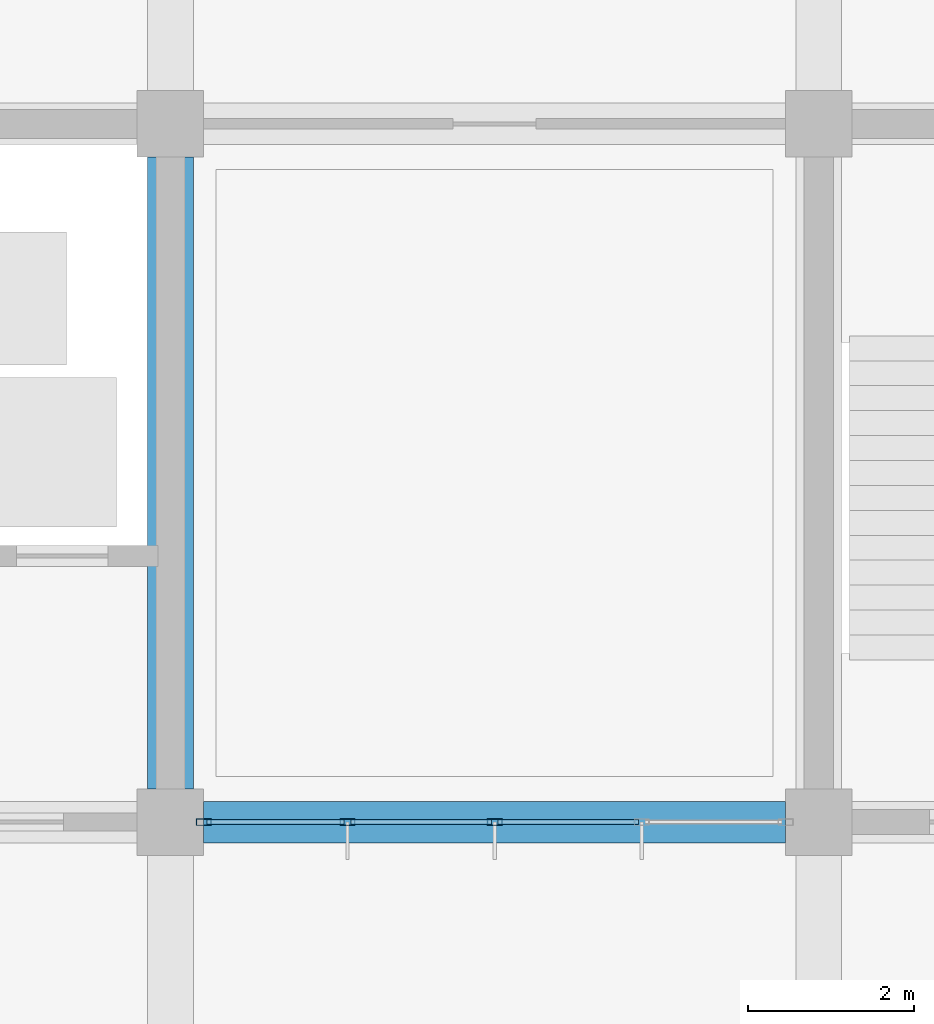
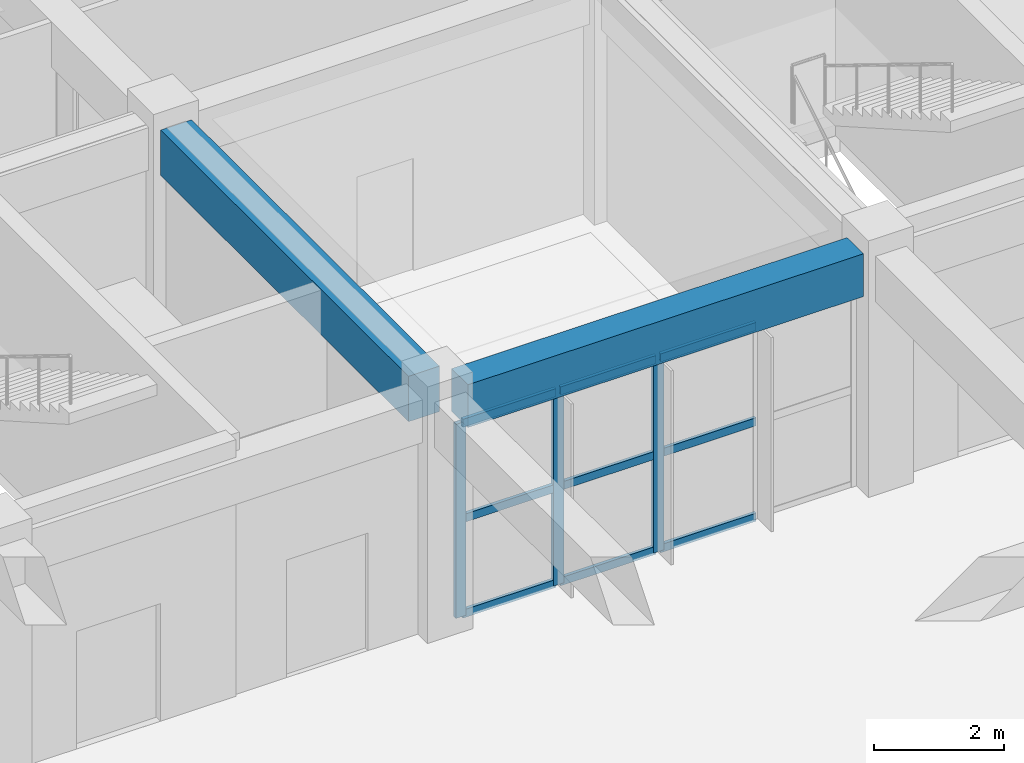
# One storey, part 13 of 139: 12 members, 2 beams, 1 element without a shape of its own.
"""IFC4 building model written with IfcOpenShell, lengths in metres."""

from ifc_helpers import new_model, si_unit, direction, frame, origin, origin_2d, place, context, subcontext, project, spatial, rectangle, hollow_rectangle, extrude, material, layer, layer_set, material_profile, profile_set, type_object, element, aggregate, save


model = new_model("IFC4")

# Units and contexts
model_context = context("Model", 3, precision=1e-05, world=origin(), true_north=direction((0.0, 1.0)))
body_context = subcontext(model_context, "Body", "Model", "MODEL_VIEW")
ifc_project = project(units=[si_unit("LENGTHUNIT", "METRE"), si_unit("AREAUNIT", "SQUARE_METRE"), si_unit("VOLUMEUNIT", "CUBIC_METRE"), si_unit("PLANEANGLEUNIT", "RADIAN"), si_unit("MASSUNIT", "GRAM", prefix="KILO")], contexts=[model_context])

# Site, building, storey
site_placement = place(None, origin())
site = spatial("IfcSite", under=ifc_project, at=site_placement, CompositionType="ELEMENT")
building_placement = place(site_placement, origin())
building = spatial("IfcBuilding", under=site, at=building_placement, Name="Zizhar Promenade General Hospital", CompositionType="ELEMENT")
storey_placement = place(building_placement, origin())
storey = spatial("IfcBuildingStorey", under=building, at=storey_placement, Name="L00", CompositionType="ELEMENT", Elevation=0.0)

# Beams
ifc_material_1 = material(Name="Concrete C35/45", Category="concrete")
ifc_material_profile_1 = material_profile(ifc_material_1, rectangle(XDim=0.5, YDim=0.800048828125, at=origin_2d()))
ifc_profile_set_1 = profile_set([ifc_material_profile_1], Name="Concrete C35/45")
beam_type_1 = type_object("IfcBeamType", Name="BM-RC-500x800", PredefinedType="BEAM", material=ifc_profile_set_1)
beam_1_placement = place(storey_placement, frame((70.60009765625, 8.39990234375, 4.070068359375), z_axis=(1.0, 0.0, 0.0), x_axis=(0.0, 1.0, 0.0)))
element("IfcBeam", 1, at=beam_1_placement, inside=storey, type_object=beam_type_1, Name="Grid Beam X L00 (9-1)", PredefinedType="BEAM", context=body_context, shape_type="SweptSolid", body=[
    extrude(rectangle(XDim=0.5, YDim=0.800048828125, at=origin_2d()), origin(), (0.0, 0.0, 1.0), 7.0),
])
ifc_material_2 = material(Name="Concrete C35/45", Category="concrete")
ifc_material_profile_2 = material_profile(ifc_material_2, rectangle(XDim=0.550048828125, YDim=0.85009765625, at=origin_2d()))
ifc_profile_set_2 = profile_set([ifc_material_profile_2], Name="Concrete C35/45")
beam_type_2 = type_object("IfcBeamType", Name="BM-RC-550x850", PredefinedType="BEAM", material=ifc_profile_set_2)
beam_2_placement = place(storey_placement, frame((70.199951171875, 8.800048828125, 4.044921875), z_axis=(0.0, 1.0, 0.0), x_axis=(-1.0, 0.0, 0.0)))
element("IfcBeam", 2, at=beam_2_placement, inside=storey, type_object=beam_type_2, Name="Grid Beam Y L00 (9-1)", PredefinedType="BEAM", context=body_context, shape_type="SweptSolid", body=[
    extrude(rectangle(XDim=0.550048828125, YDim=0.85009765625, at=origin_2d()), origin(), (0.0, 0.0, 1.0), 7.599853515625),
])

# Curtain wall, members
ifc_material_3 = material(Name="Anodised aluminium 6063-T6 and low-E glass", Category="aluminium")
ifc_layer = layer(ifc_material_3, 0.159912109375)
ifc_layer_set = layer_set([ifc_layer], Name="Anodised aluminium 6063-T6 and low-E glass")
curtain_wall_type = type_object("IfcCurtainWallType", Name="CW-HALL-S", PredefinedType="NOTDEFINED", material=ifc_layer_set)
curtain_wall_placement = place(storey_placement, origin())
curtain_wall = element("IfcCurtainWall", 3, at=curtain_wall_placement, inside=storey, type_object=curtain_wall_type, Name="Promenade Colonnade Curtain Wall Bay 8", PredefinedType="NOTDEFINED")
ifc_material_4 = material(Name="Anodised aluminium 6063-T6", Category="aluminium")
ifc_material_profile_3 = material_profile(ifc_material_4, hollow_rectangle(XDim=0.080078125, YDim=0.179931640625, WallThickness=0.0048828125, at=origin_2d()))
ifc_profile_set_3 = profile_set([ifc_material_profile_3], Name="Anodised aluminium 6063-T6")
member_type_1 = type_object("IfcMemberType", Name="CWM-ALU-180x80", PredefinedType="MULLION", material=ifc_profile_set_3)
member_1_placement = place(storey_placement, frame((74.10009765625, 8.39990234375, 0.0), z_axis=(0.0, 0.0, 1.0), x_axis=(0.0, -1.0, 0.0)))
member_1 = element("IfcMember", 4, at=member_1_placement, type_object=member_type_1, Name="CW-01 mullion 3", PredefinedType="MULLION", context=body_context, shape_type="SweptSolid", body=[
    extrude(hollow_rectangle(XDim=0.080078125, YDim=0.179931640625, WallThickness=0.0048828125, at=origin_2d()), origin(), (0.0, 0.0, 1.0), 3.6298828125),
])
member_2_placement = place(storey_placement, frame((72.330078125, 8.39990234375, 0.0), z_axis=(0.0, 0.0, 1.0), x_axis=(0.0, -1.0, 0.0)))
member_2 = element("IfcMember", 5, at=member_2_placement, type_object=member_type_1, Name="CW-01 mullion 4", PredefinedType="MULLION", context=body_context, shape_type="SweptSolid", body=[
    extrude(hollow_rectangle(XDim=0.080078125, YDim=0.179931640625, WallThickness=0.0048828125, at=origin_2d()), origin(), (0.0, 0.0, 1.0), 3.6298828125),
])
member_3_placement = place(storey_placement, frame((70.60009765625, 8.39990234375, 0.0), z_axis=(0.0, 0.0, 1.0), x_axis=(0.0, -1.0, 0.0)))
member_3 = element("IfcMember", 6, at=member_3_placement, type_object=member_type_1, Name="CW-01 mullion 5", PredefinedType="MULLION", context=body_context, shape_type="SweptSolid", body=[
    extrude(hollow_rectangle(XDim=0.080078125, YDim=0.179931640625, WallThickness=0.0048828125, at=origin_2d()), origin(), (0.0, 0.0, 1.0), 3.6298828125),
])
ifc_material_5 = material(Name="Anodised aluminium 6063-T6", Category="aluminium")
ifc_material_profile_4 = material_profile(ifc_material_5, hollow_rectangle(XDim=0.06005859375, YDim=0.14990234375, WallThickness=0.00390625, at=origin_2d()))
ifc_profile_set_4 = profile_set([ifc_material_profile_4], Name="Anodised aluminium 6063-T6")
member_type_2 = type_object("IfcMemberType", Name="CWT-ALU-150x60", PredefinedType="USERDEFINED", material=ifc_profile_set_4)
member_4_placement = place(storey_placement, frame((75.830078125, 8.39990234375, 0.030029296875), z_axis=(-1.0, 0.0, 0.0), x_axis=(0.0, -1.0, 0.0)))
member_4 = element("IfcMember", 7, at=member_4_placement, type_object=member_type_2, Name="CW-01 transom 2.1", ObjectType="TRANSOM", PredefinedType="USERDEFINED", context=body_context, shape_type="SweptSolid", body=[
    extrude(hollow_rectangle(XDim=0.06005859375, YDim=0.14990234375, WallThickness=0.00390625, at=origin_2d()), origin(), (0.0, 0.0, 1.0), 1.690185546875),
])
member_5_placement = place(storey_placement, frame((75.830078125, 8.39990234375, 1.81494140625), z_axis=(-1.0, 0.0, 0.0), x_axis=(0.0, -1.0, 0.0)))
member_5 = element("IfcMember", 8, at=member_5_placement, type_object=member_type_2, Name="CW-01 transom 2.2", ObjectType="TRANSOM", PredefinedType="USERDEFINED", context=body_context, shape_type="SweptSolid", body=[
    extrude(hollow_rectangle(XDim=0.06005859375, YDim=0.14990234375, WallThickness=0.00390625, at=origin_2d()), origin(), (0.0, 0.0, 1.0), 1.690185546875),
])
member_6_placement = place(storey_placement, frame((75.830078125, 8.39990234375, 3.60009765625), z_axis=(-1.0, 0.0, 0.0), x_axis=(0.0, -1.0, 0.0)))
member_6 = element("IfcMember", 9, at=member_6_placement, type_object=member_type_2, Name="CW-01 transom 2.3", ObjectType="TRANSOM", PredefinedType="USERDEFINED", context=body_context, shape_type="SweptSolid", body=[
    extrude(hollow_rectangle(XDim=0.06005859375, YDim=0.14990234375, WallThickness=0.00390625, at=origin_2d()), origin(), (0.0, 0.0, 1.0), 1.690185546875),
])
member_7_placement = place(storey_placement, frame((74.06005859375, 8.39990234375, 0.030029296875), z_axis=(-1.0, 0.0, 0.0), x_axis=(0.0, -1.0, 0.0)))
member_7 = element("IfcMember", 10, at=member_7_placement, type_object=member_type_2, Name="CW-01 transom 3.1", ObjectType="TRANSOM", PredefinedType="USERDEFINED", context=body_context, shape_type="SweptSolid", body=[
    extrude(hollow_rectangle(XDim=0.06005859375, YDim=0.14990234375, WallThickness=0.00390625, at=origin_2d()), origin(), (0.0, 0.0, 1.0), 1.68994140625),
])
member_8_placement = place(storey_placement, frame((74.06005859375, 8.39990234375, 1.81494140625), z_axis=(-1.0, 0.0, 0.0), x_axis=(0.0, -1.0, 0.0)))
member_8 = element("IfcMember", 11, at=member_8_placement, type_object=member_type_2, Name="CW-01 transom 3.2", ObjectType="TRANSOM", PredefinedType="USERDEFINED", context=body_context, shape_type="SweptSolid", body=[
    extrude(hollow_rectangle(XDim=0.06005859375, YDim=0.14990234375, WallThickness=0.00390625, at=origin_2d()), origin(), (0.0, 0.0, 1.0), 1.68994140625),
])
member_9_placement = place(storey_placement, frame((74.06005859375, 8.39990234375, 3.60009765625), z_axis=(-1.0, 0.0, 0.0), x_axis=(0.0, -1.0, 0.0)))
member_9 = element("IfcMember", 12, at=member_9_placement, type_object=member_type_2, Name="CW-01 transom 3.3", ObjectType="TRANSOM", PredefinedType="USERDEFINED", context=body_context, shape_type="SweptSolid", body=[
    extrude(hollow_rectangle(XDim=0.06005859375, YDim=0.14990234375, WallThickness=0.00390625, at=origin_2d()), origin(), (0.0, 0.0, 1.0), 1.68994140625),
])
member_10_placement = place(storey_placement, frame((72.2900390625, 8.39990234375, 0.030029296875), z_axis=(-1.0, 0.0, 0.0), x_axis=(0.0, -1.0, 0.0)))
member_10 = element("IfcMember", 13, at=member_10_placement, type_object=member_type_2, Name="CW-01 transom 4.1", ObjectType="TRANSOM", PredefinedType="USERDEFINED", context=body_context, shape_type="SweptSolid", body=[
    extrude(hollow_rectangle(XDim=0.06005859375, YDim=0.14990234375, WallThickness=0.00390625, at=origin_2d()), origin(), (0.0, 0.0, 1.0), 1.650146484375),
])
member_11_placement = place(storey_placement, frame((72.2900390625, 8.39990234375, 1.81494140625), z_axis=(-1.0, 0.0, 0.0), x_axis=(0.0, -1.0, 0.0)))
member_11 = element("IfcMember", 14, at=member_11_placement, type_object=member_type_2, Name="CW-01 transom 4.2", ObjectType="TRANSOM", PredefinedType="USERDEFINED", context=body_context, shape_type="SweptSolid", body=[
    extrude(hollow_rectangle(XDim=0.06005859375, YDim=0.14990234375, WallThickness=0.00390625, at=origin_2d()), origin(), (0.0, 0.0, 1.0), 1.650146484375),
])
member_12_placement = place(storey_placement, frame((72.2900390625, 8.39990234375, 3.60009765625), z_axis=(-1.0, 0.0, 0.0), x_axis=(0.0, -1.0, 0.0)))
member_12 = element("IfcMember", 15, at=member_12_placement, type_object=member_type_2, Name="CW-01 transom 4.3", ObjectType="TRANSOM", PredefinedType="USERDEFINED", context=body_context, shape_type="SweptSolid", body=[
    extrude(hollow_rectangle(XDim=0.06005859375, YDim=0.14990234375, WallThickness=0.00390625, at=origin_2d()), origin(), (0.0, 0.0, 1.0), 1.650146484375),
])
aggregate(curtain_wall, [member_1, member_2, member_3, member_4, member_5, member_6, member_7, member_8, member_9, member_10, member_11, member_12])

save(model, "model.ifc")
